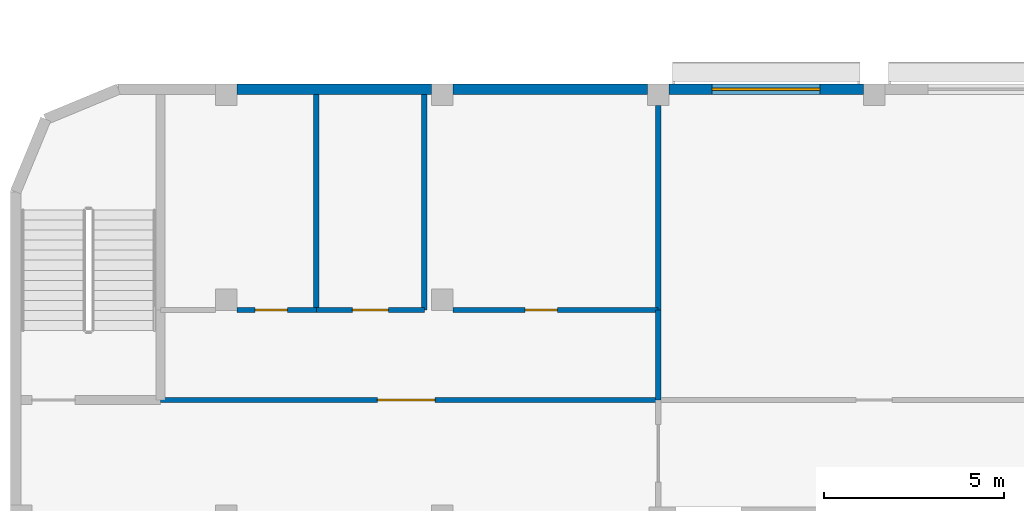
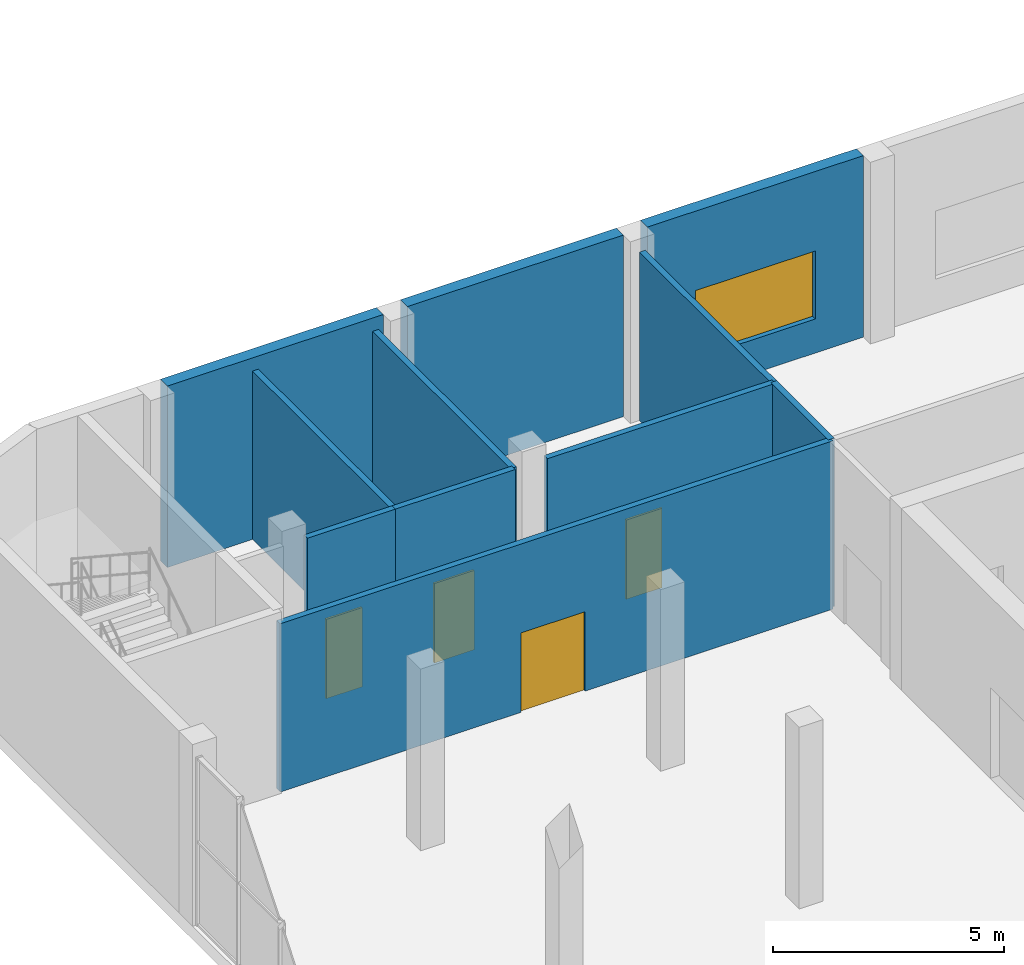
# One storey, part 22 of 45: 11 walls, 4 doors, 1 window, 5 openings.
"""IFC4 building model written with IfcOpenShell, lengths in metres."""

from ifc_helpers import new_model, si_unit, direction, frame, frame_2d, origin, place, context, subcontext, project, spatial, rectangle, extrude, material, layer, layer_set, type_object, element, fill, save


model = new_model("IFC4")

# Units and contexts
model_context = context("Model", 3, precision=1e-05, world=origin(), true_north=direction((0.0, 1.0)))
body_context = subcontext(model_context, "Body", "Model", "MODEL_VIEW")
ifc_project = project(units=[si_unit("LENGTHUNIT", "METRE"), si_unit("AREAUNIT", "SQUARE_METRE"), si_unit("VOLUMEUNIT", "CUBIC_METRE"), si_unit("PLANEANGLEUNIT", "RADIAN"), si_unit("MASSUNIT", "GRAM", prefix="KILO")], contexts=[model_context])

# Site, building, storey
site_placement = place(None, origin())
site = spatial("IfcSite", under=ifc_project, at=site_placement, CompositionType="ELEMENT")
building_placement = place(site_placement, origin())
building = spatial("IfcBuilding", under=site, at=building_placement, Name="Nakaniwa Court", CompositionType="ELEMENT")
storey_placement = place(building_placement, frame((0.0, 0.0, 6.60009765625)))
storey = spatial("IfcBuildingStorey", under=building, at=storey_placement, Name="L01", CompositionType="ELEMENT", Elevation=6.60009765625)

# Walls
ifc_material_1 = material(Name="Concrete C50/60", Category="concrete")
ifc_layer_1 = layer(ifc_material_1, 0.300048828125)
ifc_layer_set_1 = layer_set([ifc_layer_1], Name="Concrete C50/60")
wall_type_1 = type_object("IfcWallType", Name="Fair faced concrete wall 300", PredefinedType="SOLIDWALL", material=ifc_layer_set_1)
for number, where, z_axis, x_axis, name in (
    (1, (158.300048828125, 103.85009765625, 0.0), (0.0, 0.0, 1.0), (1.0, 0.0, 0.0), "Facade wall L01 12"),
    (2, (164.300048828125, 103.85009765625, 0.0), (0.0, 0.0, 1.0), (1.0, 0.0, 0.0), "Facade wall L01 13"),
):
    element("IfcWall", number, at=place(storey_placement, frame(where, z_axis=z_axis, x_axis=x_axis)), inside=storey, type_object=wall_type_1, Name=name, PredefinedType="SOLIDWALL", context=body_context, shape_type="SweptSolid", body=[
        extrude(rectangle(XDim=5.39990234375, YDim=0.300048828125, at=frame_2d((2.699951171875, 0.0))), origin(), (0.0, 0.0, 1.0), 4.7998046875),
    ])

# Wall, opening, window
wall_1_placement = place(storey_placement, frame((170.300048828125, 103.85009765625, 0.0), z_axis=(0.0, 0.0, 1.0), x_axis=(1.0, 0.0, 0.0)))
wall_1 = element("IfcWall", 3, at=wall_1_placement, inside=storey, type_object=wall_type_1, Name="Facade wall L01 14", PredefinedType="SOLIDWALL", context=body_context, shape_type="SweptSolid", body=[
    extrude(rectangle(XDim=5.39990234375, YDim=0.300048828125, at=frame_2d((2.699951171875, 0.0))), origin(), (0.0, 0.0, 1.0), 4.7998046875),
])
opening_1_placement = place(wall_1_placement, frame((1.199951171875, 0.0, 0.89990234375)))
opening_1 = element("IfcOpeningElement", 4, at=opening_1_placement, cuts=wall_1, Name="Opening HWN-18", PredefinedType="OPENING", context=body_context, shape_type="SweptSolid", body=[
    extrude(rectangle(XDim=3.0, YDim=1.800048828125, at=frame_2d((1.5, 0.89990234375))), frame((0.0, 0.159912109375, 0.0), z_axis=(0.0, -1.0, 0.0), x_axis=(1.0, 0.0, 0.0)), (0.0, 0.0, 1.0), 0.320068359375),
])
ifc_material_2 = material(Name="Black powder-coated aluminium frame with dark glass", Category="aluminium")
window_type = type_object("IfcWindowType", Name="Hall window 3000x1800", PartitioningType="SINGLE_PANEL", PredefinedType="WINDOW", material=ifc_material_2)
window_placement = place(opening_1_placement, origin())
window = element("IfcWindow", 5, at=window_placement, inside=storey, type_object=window_type, Name="Window L01:013", OverallHeight=1.800048828125, OverallWidth=3.0, PartitioningType="SINGLE_PANEL", PredefinedType="WINDOW", context=body_context, shape_type="SweptSolid", body=[
    extrude(rectangle(XDim=3.0, YDim=1.800048828125, at=frame_2d((1.5, 0.89990234375))), frame((0.0, 0.030029296875, 0.0), z_axis=(0.0, -1.0, 0.0), x_axis=(1.0, 0.0, 0.0)), (0.0, 0.0, 1.0), 0.06005859375),
])
fill(opening_1, window)

# Wall, opening, door
ifc_material_3 = material(Name="Steel stud plasterboard partition", Category="steel")
ifc_layer_2 = layer(ifc_material_3, 0.14990234375)
ifc_layer_set_2 = layer_set([ifc_layer_2], Name="Steel stud plasterboard partition")
wall_type_2 = type_object("IfcWallType", Name="Partition 150", PredefinedType="PARTITIONING", material=ifc_layer_set_2)
wall_2_placement = place(storey_placement, frame((156.175048828125, 95.215087890625, 0.0), z_axis=(0.0, 0.0, 1.0), x_axis=(1.0, 0.0, 0.0)))
wall_2 = element("IfcWall", 6, at=wall_2_placement, inside=storey, type_object=wall_type_2, Name="L01 partition wall 5", PredefinedType="PARTITIONING", context=body_context, shape_type="SweptSolid", body=[
    extrude(rectangle(XDim=13.824951171875, YDim=0.14990234375, at=frame_2d((6.91259765625, 0.0))), origin(), (0.0, 0.0, 1.0), 4.449951171875),
])
opening_2_placement = place(wall_2_placement, frame((6.02490234375, 0.0, 0.0)))
opening_2 = element("IfcOpeningElement", 7, at=opening_2_placement, cuts=wall_2, Name="Opening HD-52", PredefinedType="OPENING", context=body_context, shape_type="SweptSolid", body=[
    extrude(rectangle(XDim=1.60009765625, YDim=2.10009765625, at=frame_2d((0.800048828125, 1.050048828125))), frame((0.0, 0.0849609375, 0.0), z_axis=(0.0, -1.0, 0.0), x_axis=(1.0, 0.0, 0.0)), (0.0, 0.0, 1.0), 0.169921875),
])
ifc_material_4 = material(Name="Solid-core timber door leaf in steel frame", Category="steel")
door_type_1 = type_object("IfcDoorType", Name="Hall corridor double door 1600x2100", OperationType="DOUBLE_DOOR_SINGLE_SWING", PredefinedType="DOOR", material=ifc_material_4)
door_1_placement = place(opening_2_placement, origin())
door_1 = element("IfcDoor", 8, at=door_1_placement, inside=storey, type_object=door_type_1, Name="L01 door lobby", OperationType="DOUBLE_DOOR_SINGLE_SWING", OverallHeight=2.10009765625, OverallWidth=1.60009765625, PredefinedType="DOOR", context=body_context, shape_type="SweptSolid", body=[
    extrude(rectangle(XDim=1.60009765625, YDim=2.10009765625, at=frame_2d((0.800048828125, 1.050048828125))), frame((0.0, 0.02490234375, 0.0), z_axis=(0.0, -1.0, 0.0), x_axis=(1.0, 0.0, 0.0)), (0.0, 0.0, 1.0), 0.050048828125),
])
fill(opening_2, door_1)

# Wall
wall_3_placement = place(storey_placement, frame((170.0, 97.715087890625, 0.0), z_axis=(0.0, 0.0, 1.0), x_axis=(0.0, -1.0, 0.0)))
element("IfcWall", 9, at=wall_3_placement, inside=storey, type_object=wall_type_2, Name="L01 partition wall 24", PredefinedType="PARTITIONING", context=body_context, shape_type="SweptSolid", body=[
    extrude(rectangle(XDim=2.5, YDim=0.14990234375, at=frame_2d((1.25, 0.0))), origin(), (0.0, 0.0, 1.0), 4.449951171875),
])

# Wall, opening, door
ifc_material_5 = material(Name="Moisture-resistant steel stud partition", Category="steel")
ifc_layer_3 = layer(ifc_material_5, 0.14990234375)
ifc_layer_set_3 = layer_set([ifc_layer_3], Name="Moisture-resistant steel stud partition")
wall_type_3 = type_object("IfcWallType", Name="Wet area partition 150", PredefinedType="PLUMBINGWALL", material=ifc_layer_set_3)
wall_4_placement = place(storey_placement, frame((158.300048828125, 97.715087890625, 0.0), z_axis=(0.0, 0.0, 1.0), x_axis=(1.0, 0.0, 0.0)))
wall_4 = element("IfcWall", 10, at=wall_4_placement, inside=storey, type_object=wall_type_3, Name="L01 partition wall 8", PredefinedType="PLUMBINGWALL", context=body_context, shape_type="SweptSolid", body=[
    extrude(rectangle(XDim=2.199951171875, YDim=0.14990234375, at=frame_2d((1.10009765625, 0.0))), origin(), (0.0, 0.0, 1.0), 4.449951171875),
])
opening_3_placement = place(wall_4_placement, frame((0.5, 0.0, 0.0)))
opening_3 = element("IfcOpeningElement", 11, at=opening_3_placement, cuts=wall_4, Name="Opening HD-53", PredefinedType="OPENING", context=body_context, shape_type="SweptSolid", body=[
    extrude(rectangle(XDim=0.89990234375, YDim=2.10009765625, at=frame_2d((0.449951171875, 1.050048828125))), frame((0.0, 0.0849609375, 0.0), z_axis=(0.0, -1.0, 0.0), x_axis=(1.0, 0.0, 0.0)), (0.0, 0.0, 1.0), 0.169921875),
])
door_type_2 = type_object("IfcDoorType", Name="Hall door 900x2100", OperationType="SINGLE_SWING_LEFT", PredefinedType="DOOR", material=ifc_material_4)
door_2_placement = place(opening_3_placement, origin())
door_2 = element("IfcDoor", 12, at=door_2_placement, inside=storey, type_object=door_type_2, Name="L01 door Public-WC-(men)", OperationType="SINGLE_SWING_LEFT", OverallHeight=2.10009765625, OverallWidth=0.89990234375, PredefinedType="DOOR", context=body_context, shape_type="SweptSolid", body=[
    extrude(rectangle(XDim=0.89990234375, YDim=2.10009765625, at=frame_2d((0.449951171875, 1.050048828125))), frame((0.0, 0.02490234375, 0.0), z_axis=(0.0, -1.0, 0.0), x_axis=(1.0, 0.0, 0.0)), (0.0, 0.0, 1.0), 0.050048828125),
])
fill(opening_3, door_2)

wall_5_placement = place(storey_placement, frame((160.5, 97.715087890625, 0.0), z_axis=(0.0, 0.0, 1.0), x_axis=(1.0, 0.0, 0.0)))
wall_5 = element("IfcWall", 13, at=wall_5_placement, inside=storey, type_object=wall_type_3, Name="L01 partition wall 10", PredefinedType="PLUMBINGWALL", context=body_context, shape_type="SweptSolid", body=[
    extrude(rectangle(XDim=3.0, YDim=0.14990234375, at=frame_2d((1.5, 0.0))), origin(), (0.0, 0.0, 1.0), 4.449951171875),
])
opening_4_placement = place(wall_5_placement, frame((1.0, 0.0, 0.0)))
opening_4 = element("IfcOpeningElement", 14, at=opening_4_placement, cuts=wall_5, Name="Opening HD-54", PredefinedType="OPENING", context=body_context, shape_type="SweptSolid", body=[
    extrude(rectangle(XDim=1.0, YDim=2.10009765625, at=frame_2d((0.5, 1.050048828125))), frame((0.0, 0.0849609375, 0.0), z_axis=(0.0, -1.0, 0.0), x_axis=(1.0, 0.0, 0.0)), (0.0, 0.0, 1.0), 0.169921875),
])
door_type_3 = type_object("IfcDoorType", Name="Hall door 1000x2100", OperationType="SINGLE_SWING_LEFT", PredefinedType="DOOR", material=ifc_material_4)
door_3_placement = place(opening_4_placement, origin())
door_3 = element("IfcDoor", 15, at=door_3_placement, inside=storey, type_object=door_type_3, Name="L01 door Accessible-WC", OperationType="SINGLE_SWING_RIGHT", OverallHeight=2.10009765625, OverallWidth=1.0, PredefinedType="DOOR", context=body_context, shape_type="SweptSolid", body=[
    extrude(rectangle(XDim=1.0, YDim=2.10009765625, at=frame_2d((0.5, 1.050048828125))), frame((0.0, 0.02490234375, 0.0), z_axis=(0.0, -1.0, 0.0), x_axis=(1.0, 0.0, 0.0)), (0.0, 0.0, 1.0), 0.050048828125),
])
fill(opening_4, door_3)

# Wall
wall_6_placement = place(storey_placement, frame((160.5, 103.699951171875, 0.0), z_axis=(0.0, 0.0, 1.0), x_axis=(0.0, -1.0, 0.0)))
element("IfcWall", 16, at=wall_6_placement, inside=storey, type_object=wall_type_3, Name="L01 partition wall 11", PredefinedType="PLUMBINGWALL", context=body_context, shape_type="SweptSolid", body=[
    extrude(rectangle(XDim=5.98486328125, YDim=0.14990234375, at=frame_2d((2.992431640625, 0.0))), origin(), (0.0, 0.0, 1.0), 4.449951171875),
])

# Wall, opening, door
wall_7_placement = place(storey_placement, frame((164.300048828125, 97.715087890625, 0.0), z_axis=(0.0, 0.0, 1.0), x_axis=(1.0, 0.0, 0.0)))
wall_7 = element("IfcWall", 17, at=wall_7_placement, inside=storey, type_object=wall_type_3, Name="L01 partition wall 12", PredefinedType="PLUMBINGWALL", context=body_context, shape_type="SweptSolid", body=[
    extrude(rectangle(XDim=5.699951171875, YDim=0.14990234375, at=frame_2d((2.85009765625, 0.0))), origin(), (0.0, 0.0, 1.0), 4.449951171875),
])
opening_5_placement = place(wall_7_placement, frame((2.0, 0.0, 0.0)))
opening_5 = element("IfcOpeningElement", 18, at=opening_5_placement, cuts=wall_7, Name="Opening HD-55", PredefinedType="OPENING", context=body_context, shape_type="SweptSolid", body=[
    extrude(rectangle(XDim=0.89990234375, YDim=2.10009765625, at=frame_2d((0.449951171875, 1.050048828125))), frame((0.0, 0.0849609375, 0.0), z_axis=(0.0, -1.0, 0.0), x_axis=(1.0, 0.0, 0.0)), (0.0, 0.0, 1.0), 0.169921875),
])
door_4_placement = place(opening_5_placement, origin())
door_4 = element("IfcDoor", 19, at=door_4_placement, inside=storey, type_object=door_type_2, Name="L01 door Public-WC-(women)", OperationType="SINGLE_SWING_LEFT", OverallHeight=2.10009765625, OverallWidth=0.89990234375, PredefinedType="DOOR", context=body_context, shape_type="SweptSolid", body=[
    extrude(rectangle(XDim=0.89990234375, YDim=2.10009765625, at=frame_2d((0.449951171875, 1.050048828125))), frame((0.0, 0.02490234375, 0.0), z_axis=(0.0, -1.0, 0.0), x_axis=(1.0, 0.0, 0.0)), (0.0, 0.0, 1.0), 0.050048828125),
])
fill(opening_5, door_4)

# Walls
wall_8_placement = place(storey_placement, frame((163.5, 103.699951171875, 0.0), z_axis=(0.0, 0.0, 1.0), x_axis=(0.0, -1.0, 0.0)))
element("IfcWall", 20, at=wall_8_placement, inside=storey, type_object=wall_type_3, Name="L01 partition wall 13", PredefinedType="PLUMBINGWALL", context=body_context, shape_type="SweptSolid", body=[
    extrude(rectangle(XDim=5.98486328125, YDim=0.14990234375, at=frame_2d((2.992431640625, 0.0))), origin(), (0.0, 0.0, 1.0), 4.449951171875),
])
wall_9_placement = place(storey_placement, frame((170.0, 103.39990234375, 0.0), z_axis=(0.0, 0.0, 1.0), x_axis=(0.0, -1.0, 0.0)))
element("IfcWall", 21, at=wall_9_placement, inside=storey, type_object=wall_type_3, Name="L01 partition wall 25", PredefinedType="PLUMBINGWALL", context=body_context, shape_type="SweptSolid", body=[
    extrude(rectangle(XDim=5.684814453125, YDim=0.14990234375, at=frame_2d((2.84228515625, 0.0))), origin(), (0.0, 0.0, 1.0), 4.449951171875),
])

save(model, "model.ifc")
